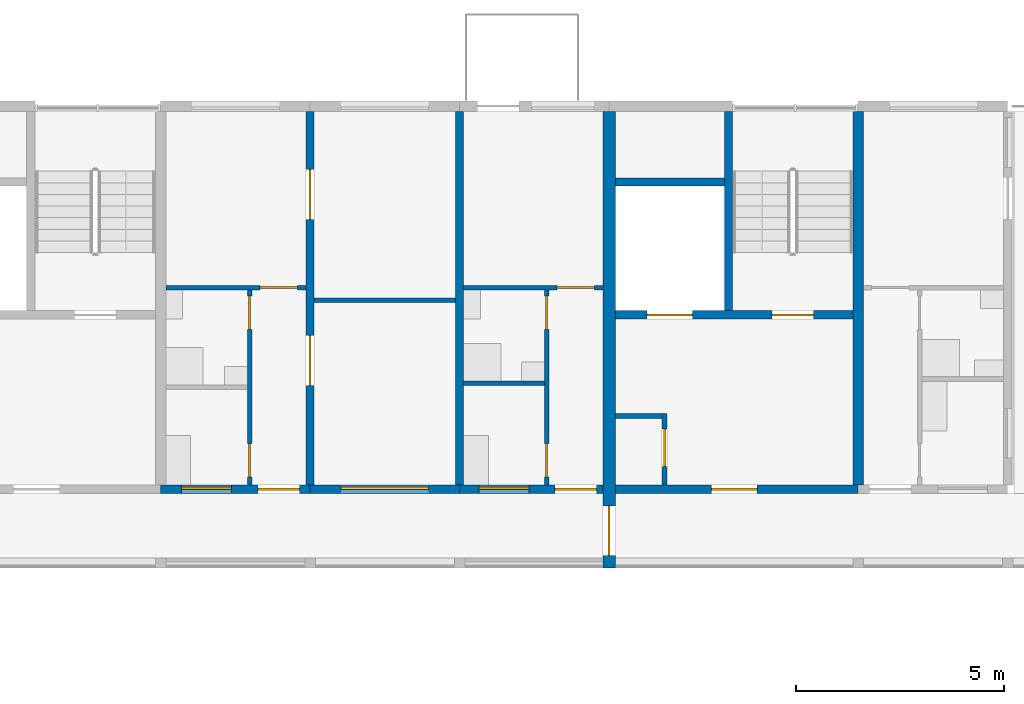
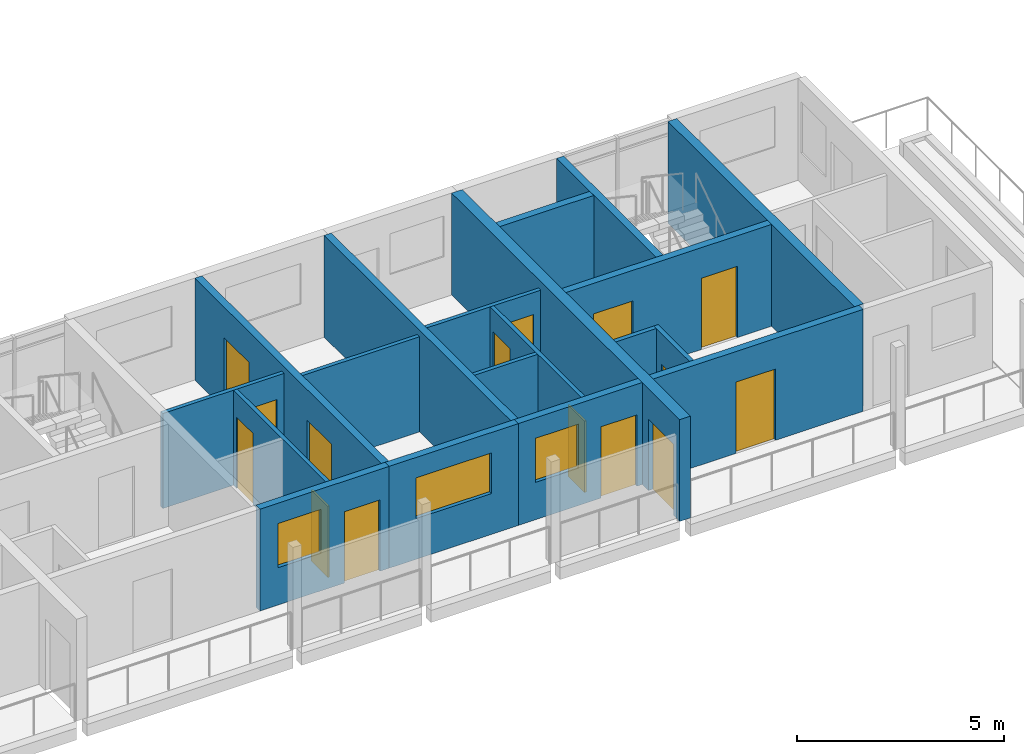
# One storey, part 35 of 94: 19 walls, 15 doors, 3 windows, 18 openings.
"""IFC4 building model written with IfcOpenShell, lengths in metres."""

from ifc_helpers import new_model, si_unit, direction, frame, frame_2d, origin, place, context, subcontext, project, spatial, rectangle, extrude, material, layer, layer_set, type_object, element, fill, save


model = new_model("IFC4")

# Units and contexts
model_context = context("Model", 3, precision=1e-05, world=origin(), true_north=direction((0.0, 1.0)))
body_context = subcontext(model_context, "Body", "Model", "MODEL_VIEW")
ifc_project = project(units=[si_unit("LENGTHUNIT", "METRE"), si_unit("AREAUNIT", "SQUARE_METRE"), si_unit("VOLUMEUNIT", "CUBIC_METRE"), si_unit("PLANEANGLEUNIT", "RADIAN"), si_unit("MASSUNIT", "GRAM", prefix="KILO")], contexts=[model_context])

# Site, building, storey
site_placement = place(None, origin())
site = spatial("IfcSite", under=ifc_project, at=site_placement, CompositionType="ELEMENT")
building_placement = place(site_placement, origin())
building = spatial("IfcBuilding", under=site, at=building_placement, Name="Ridgestep Commons", CompositionType="ELEMENT")
storey_placement = place(building_placement, frame((0.0, 0.0, 21.0)))
storey = spatial("IfcBuildingStorey", under=building, at=storey_placement, Name="L07", CompositionType="ELEMENT", Elevation=21.0)

# Wall
ifc_material_1 = material(Name="Concrete C30/37", Category="concrete")
ifc_layer_1 = layer(ifc_material_1, 0.25)
ifc_layer_set_1 = layer_set([ifc_layer_1], Name="Core cross wall 250")
wall_type_1 = type_object("IfcWallType", Name="Core cross wall 250", PredefinedType="SHEAR", material=ifc_layer_set_1)
wall_1_placement = place(storey_placement, frame((51.60009765625, 68.0, 0.0), z_axis=(0.0, 0.0, 1.0), x_axis=(0.0, 1.0, 0.0)))
element("IfcWall", 1, at=wall_1_placement, inside=storey, type_object=wall_type_1, Name="Cross wall B-07-0516", PredefinedType="SHEAR", context=body_context, shape_type="SweptSolid", body=[
    extrude(rectangle(XDim=9.0, YDim=0.25, at=frame_2d((4.5, 0.0))), origin(), (0.0, 0.0, 1.0), 3.0),
])

# Wall, opening, door
ifc_material_2 = material(Name="Concrete C30/37", Category="concrete")
ifc_layer_2 = layer(ifc_material_2, 0.199951171875)
ifc_layer_set_2 = layer_set([ifc_layer_2], Name="Core south wall 200")
wall_type_2 = type_object("IfcWallType", Name="Core south wall 200", PredefinedType="SHEAR", material=ifc_layer_set_2)
wall_2_placement = place(storey_placement, frame((45.75, 67.89990234375, 0.0), z_axis=(0.0, 0.0, 1.0), x_axis=(1.0, 0.0, 0.0)))
wall_2 = element("IfcWall", 2, at=wall_2_placement, inside=storey, type_object=wall_type_2, Name="Core south wall B3C L07", PredefinedType="SHEAR", context=body_context, shape_type="SweptSolid", body=[
    extrude(rectangle(XDim=5.85009765625, YDim=0.199951171875, at=frame_2d((2.925048828125, 0.0))), origin(), (0.0, 0.0, 1.0), 3.0),
])
opening_1_placement = place(wall_2_placement, frame((2.3125, 0.0, 0.0)))
opening_1 = element("IfcOpeningElement", 3, at=opening_1_placement, cuts=wall_2, Name="Opening B3C/07/1", PredefinedType="OPENING", context=body_context, shape_type="SweptSolid", body=[
    extrude(rectangle(XDim=1.10009765625, YDim=2.10009765625, at=frame_2d((0.550048828125, 1.050048828125))), frame((0.0, 0.10986328125, 0.0), z_axis=(0.0, -1.0, 0.0), x_axis=(1.0, 0.0, 0.0)), (0.0, 0.0, 1.0), 0.219970703125),
])
ifc_material_3 = material(Name="Steel fire door", Category="steel")
door_type_1 = type_object("IfcDoorType", Name="Lobby door 1100 x 2100 FD60", OperationType="NOTDEFINED", PredefinedType="DOOR", material=ifc_material_3)
door_1_placement = place(opening_1_placement, origin())
door_1 = element("IfcDoor", 4, at=door_1_placement, inside=storey, type_object=door_type_1, Name="Lobby door B3C/07/1", OperationType="SINGLE_SWING_LEFT", OverallHeight=2.10009765625, OverallWidth=1.10009765625, PredefinedType="DOOR", context=body_context, shape_type="SweptSolid", body=[
    extrude(rectangle(XDim=1.10009765625, YDim=2.10009765625, at=frame_2d((0.550048828125, 1.050048828125))), frame((0.0, 0.02490234375, 0.0), z_axis=(0.0, -1.0, 0.0), x_axis=(1.0, 0.0, 0.0)), (0.0, 0.0, 1.0), 0.050048828125),
])
fill(opening_1, door_1)

ifc_material_4 = material(Name="Concrete C30/37", Category="concrete")
ifc_layer_3 = layer(ifc_material_4, 0.1201171875)
ifc_layer_set_3 = layer_set([ifc_layer_3], Name="Core wall 120")
wall_type_3 = type_object("IfcWallType", Name="Core wall 120", PredefinedType="SHEAR", material=ifc_layer_set_3)
wall_3_placement = place(storey_placement, frame((46.93994140625, 68.0, 0.0), z_axis=(0.0, 0.0, 1.0), x_axis=(0.0, 1.0, 0.0)))
wall_3 = element("IfcWall", 5, at=wall_3_placement, inside=storey, type_object=wall_type_3, Name="Core riser w wall B3C L07", PredefinedType="SHEAR", context=body_context, shape_type="SweptSolid", body=[
    extrude(rectangle(XDim=1.719970703125, YDim=0.1201171875, at=frame_2d((0.85986328125, 0.0))), origin(), (0.0, 0.0, 1.0), 3.0),
])
opening_2_placement = place(wall_3_placement, frame((0.449951171875, 0.0, 0.0)))
opening_2 = element("IfcOpeningElement", 6, at=opening_2_placement, cuts=wall_3, Name="Opening B3C/07/4", PredefinedType="OPENING", context=body_context, shape_type="SweptSolid", body=[
    extrude(rectangle(XDim=0.89990234375, YDim=2.10009765625, at=frame_2d((0.449951171875, 1.050048828125))), frame((0.0, 0.070068359375, 0.0), z_axis=(0.0, -1.0, 0.0), x_axis=(1.0, 0.0, 0.0)), (0.0, 0.0, 1.0), 0.14013671875),
])
ifc_material_5 = material(Name="Steel fire door", Category="steel")
door_type_2 = type_object("IfcDoorType", Name="Riser door 900 x 2100 FD60", OperationType="NOTDEFINED", PredefinedType="DOOR", material=ifc_material_5)
door_2_placement = place(opening_2_placement, origin())
door_2 = element("IfcDoor", 7, at=door_2_placement, inside=storey, type_object=door_type_2, Name="Riser door B3C/07/4", OperationType="SINGLE_SWING_RIGHT", OverallHeight=2.10009765625, OverallWidth=0.89990234375, PredefinedType="DOOR", context=body_context, shape_type="SweptSolid", body=[
    extrude(rectangle(XDim=0.89990234375, YDim=2.10009765625, at=frame_2d((0.449951171875, 1.050048828125))), frame((0.0, 0.02490234375, 0.0), z_axis=(0.0, -1.0, 0.0), x_axis=(1.0, 0.0, 0.0)), (0.0, 0.0, 1.0), 0.050048828125),
])
fill(opening_2, door_2)

# Wall
wall_4_placement = place(storey_placement, frame((45.75, 69.659912109375, 0.0), z_axis=(0.0, 0.0, 1.0), x_axis=(1.0, 0.0, 0.0)))
element("IfcWall", 8, at=wall_4_placement, inside=storey, type_object=wall_type_3, Name="Core riser n wall B3C L07", PredefinedType="SHEAR", context=body_context, shape_type="SweptSolid", body=[
    extrude(rectangle(XDim=1.1298828125, YDim=0.1201171875, at=frame_2d((0.56494140625, 0.0))), origin(), (0.0, 0.0, 1.0), 3.0),
])

# Wall, openings, doors
ifc_material_6 = material(Name="Concrete C30/37", Category="concrete")
ifc_layer_4 = layer(ifc_material_6, 0.199951171875)
ifc_layer_set_4 = layer_set([ifc_layer_4], Name="Core wall 200")
wall_type_4 = type_object("IfcWallType", Name="Core wall 200", PredefinedType="SHEAR", material=ifc_layer_set_4)
wall_5_placement = place(storey_placement, frame((45.75, 72.10009765625, 0.0), z_axis=(0.0, 0.0, 1.0), x_axis=(1.0, 0.0, 0.0)))
wall_5 = element("IfcWall", 9, at=wall_5_placement, inside=storey, type_object=wall_type_4, Name="Core lobby wall B3C L07", PredefinedType="SHEAR", context=body_context, shape_type="SweptSolid", body=[
    extrude(rectangle(XDim=5.72509765625, YDim=0.199951171875, at=frame_2d((2.862548828125, 0.0))), origin(), (0.0, 0.0, 1.0), 3.0),
])
opening_3_placement = place(wall_5_placement, frame((3.77490234375, 0.0, 0.0)))
opening_3 = element("IfcOpeningElement", 10, at=opening_3_placement, cuts=wall_5, Name="Opening B3C/07/2", PredefinedType="OPENING", context=body_context, shape_type="SweptSolid", body=[
    extrude(rectangle(XDim=1.0, YDim=2.10009765625, at=frame_2d((0.5, 1.050048828125))), frame((0.0, 0.10986328125, 0.0), z_axis=(0.0, -1.0, 0.0), x_axis=(1.0, 0.0, 0.0)), (0.0, 0.0, 1.0), 0.219970703125),
])
opening_4_placement = place(wall_5_placement, frame((0.762451171875, 0.0, 0.0)))
opening_4 = element("IfcOpeningElement", 11, at=opening_4_placement, cuts=wall_5, Name="Opening B3C/07/3", PredefinedType="OPENING", context=body_context, shape_type="SweptSolid", body=[
    extrude(rectangle(XDim=1.10009765625, YDim=2.10009765625, at=frame_2d((0.550048828125, 1.050048828125))), frame((0.0, 0.10986328125, 0.0), z_axis=(0.0, -1.0, 0.0), x_axis=(1.0, 0.0, 0.0)), (0.0, 0.0, 1.0), 0.219970703125),
])
ifc_material_7 = material(Name="Stainless steel", Category="steel")
door_type_3 = type_object("IfcDoorType", Name="Lift landing door 1100 x 2100 FD60", OperationType="DOUBLE_DOOR_SLIDING", PredefinedType="DOOR", material=ifc_material_7)
door_3_placement = place(opening_4_placement, origin())
door_3 = element("IfcDoor", 12, at=door_3_placement, inside=storey, type_object=door_type_3, Name="Landing door LD B3C L07", OperationType="DOUBLE_DOOR_SLIDING", OverallHeight=2.10009765625, OverallWidth=1.10009765625, PredefinedType="DOOR", context=body_context, shape_type="SweptSolid", body=[
    extrude(rectangle(XDim=1.10009765625, YDim=2.10009765625, at=frame_2d((0.550048828125, 1.050048828125))), frame((0.0, 0.02490234375, 0.0), z_axis=(0.0, -1.0, 0.0), x_axis=(1.0, 0.0, 0.0)), (0.0, 0.0, 1.0), 0.050048828125),
])
fill(opening_4, door_3)
ifc_material_8 = material(Name="Steel fire door", Category="steel")
door_type_4 = type_object("IfcDoorType", Name="Stair door 1000 x 2100 FD60", OperationType="NOTDEFINED", PredefinedType="DOOR", material=ifc_material_8)
door_4_placement = place(opening_3_placement, origin())
door_4 = element("IfcDoor", 13, at=door_4_placement, inside=storey, type_object=door_type_4, Name="Stair door B3C/07/2", OperationType="SINGLE_SWING_RIGHT", OverallHeight=2.10009765625, OverallWidth=1.0, PredefinedType="DOOR", context=body_context, shape_type="SweptSolid", body=[
    extrude(rectangle(XDim=1.0, YDim=2.10009765625, at=frame_2d((0.5, 1.050048828125))), frame((0.0, 0.02490234375, 0.0), z_axis=(0.0, -1.0, 0.0), x_axis=(1.0, 0.0, 0.0)), (0.0, 0.0, 1.0), 0.050048828125),
])
fill(opening_3, door_4)

# Walls
wall_6_placement = place(storey_placement, frame((48.47509765625, 72.199951171875, 0.0), z_axis=(0.0, 0.0, 1.0), x_axis=(0.0, 1.0, 0.0)))
element("IfcWall", 14, at=wall_6_placement, inside=storey, type_object=wall_type_4, Name="Core stair wall B3C L07", PredefinedType="SHEAR", context=body_context, shape_type="SweptSolid", body=[
    extrude(rectangle(XDim=4.800048828125, YDim=0.199951171875, at=frame_2d((2.39990234375, 0.0))), origin(), (0.0, 0.0, 1.0), 3.0),
])
wall_7_placement = place(storey_placement, frame((45.75, 75.300048828125, 0.0), z_axis=(0.0, 0.0, 1.0), x_axis=(1.0, 0.0, 0.0)))
element("IfcWall", 15, at=wall_7_placement, inside=storey, type_object=wall_type_4, Name="Core duct wall B3C L07", PredefinedType="SHEAR", context=body_context, shape_type="SweptSolid", body=[
    extrude(rectangle(XDim=2.625, YDim=0.199951171875, at=frame_2d((1.3125, 0.0))), origin(), (0.0, 0.0, 1.0), 3.0),
])

# Wall, openings, doors
ifc_material_9 = material(Name="Precast concrete C40/50", Category="concrete")
ifc_layer_5 = layer(ifc_material_9, 0.199951171875)
ifc_layer_set_5 = layer_set([ifc_layer_5], Name="Cross wall 200")
wall_type_5 = type_object("IfcWallType", Name="Cross wall 200", PredefinedType="SHEAR", material=ifc_layer_set_5)
wall_8_placement = place(storey_placement, frame((38.39990234375, 68.0, 0.0), z_axis=(0.0, 0.0, 1.0), x_axis=(0.0, 1.0, 0.0)))
wall_8 = element("IfcWall", 16, at=wall_8_placement, inside=storey, type_object=wall_type_5, Name="Cross wall B-07-0384", PredefinedType="SHEAR", context=body_context, shape_type="SweptSolid", body=[
    extrude(rectangle(XDim=9.0, YDim=0.199951171875, at=frame_2d((4.5, 0.0))), origin(), (0.0, 0.0, 1.0), 3.0),
])
opening_5_placement = place(wall_8_placement, frame((2.39990234375, 0.0, 0.0)))
opening_5 = element("IfcOpeningElement", 17, at=opening_5_placement, cuts=wall_8, Name="Opening B2-07b/5", PredefinedType="OPENING", context=body_context, shape_type="SweptSolid", body=[
    extrude(rectangle(XDim=1.199951171875, YDim=2.10009765625, at=frame_2d((0.60009765625, 1.050048828125))), frame((0.0, 0.10986328125, 0.0), z_axis=(0.0, -1.0, 0.0), x_axis=(1.0, 0.0, 0.0)), (0.0, 0.0, 1.0), 0.219970703125),
])
opening_6_placement = place(wall_8_placement, frame((6.39990234375, 0.0, 0.0)))
opening_6 = element("IfcOpeningElement", 18, at=opening_6_placement, cuts=wall_8, Name="Opening B2-07b/6", PredefinedType="OPENING", context=body_context, shape_type="SweptSolid", body=[
    extrude(rectangle(XDim=1.199951171875, YDim=2.10009765625, at=frame_2d((0.60009765625, 1.050048828125))), frame((0.0, 0.10986328125, 0.0), z_axis=(0.0, -1.0, 0.0), x_axis=(1.0, 0.0, 0.0)), (0.0, 0.0, 1.0), 0.219970703125),
])
ifc_material_10 = material(Name="Timber door leaf", Category="wood")
door_type_5 = type_object("IfcDoorType", Name="Double door 1200 x 2100", OperationType="DOUBLE_DOOR_SINGLE_SWING", PredefinedType="DOOR", material=ifc_material_10)
door_5_placement = place(opening_5_placement, origin())
door_5 = element("IfcDoor", 19, at=door_5_placement, inside=storey, type_object=door_type_5, Name="Double door B2-07b/5", OperationType="DOUBLE_DOOR_SINGLE_SWING", OverallHeight=2.10009765625, OverallWidth=1.199951171875, PredefinedType="DOOR", context=body_context, shape_type="SweptSolid", body=[
    extrude(rectangle(XDim=1.199951171875, YDim=2.10009765625, at=frame_2d((0.60009765625, 1.050048828125))), frame((0.0, 0.02490234375, 0.0), z_axis=(0.0, -1.0, 0.0), x_axis=(1.0, 0.0, 0.0)), (0.0, 0.0, 1.0), 0.050048828125),
])
fill(opening_5, door_5)
door_6_placement = place(opening_6_placement, origin())
door_6 = element("IfcDoor", 20, at=door_6_placement, inside=storey, type_object=door_type_5, Name="Double door B2-07b/6", OperationType="DOUBLE_DOOR_SINGLE_SWING", OverallHeight=2.10009765625, OverallWidth=1.199951171875, PredefinedType="DOOR", context=body_context, shape_type="SweptSolid", body=[
    extrude(rectangle(XDim=1.199951171875, YDim=2.10009765625, at=frame_2d((0.60009765625, 1.050048828125))), frame((0.0, 0.02490234375, 0.0), z_axis=(0.0, -1.0, 0.0), x_axis=(1.0, 0.0, 0.0)), (0.0, 0.0, 1.0), 0.050048828125),
])
fill(opening_6, door_6)

# Wall
wall_9_placement = place(storey_placement, frame((42.0, 68.0, 0.0), z_axis=(0.0, 0.0, 1.0), x_axis=(0.0, 1.0, 0.0)))
element("IfcWall", 21, at=wall_9_placement, inside=storey, type_object=wall_type_5, Name="Cross wall B-07-0420", PredefinedType="SHEAR", context=body_context, shape_type="SweptSolid", body=[
    extrude(rectangle(XDim=9.0, YDim=0.199951171875, at=frame_2d((4.5, 0.0))), origin(), (0.0, 0.0, 1.0), 3.0),
])

# Wall, opening, door
ifc_material_11 = material(Name="Precast concrete C40/50", Category="concrete")
ifc_layer_6 = layer(ifc_material_11, 0.300048828125)
ifc_layer_set_6 = layer_set([ifc_layer_6], Name="Division wall 300")
wall_type_6 = type_object("IfcWallType", Name="Division wall 300", PredefinedType="SHEAR", material=ifc_layer_set_6)
wall_10_placement = place(storey_placement, frame((45.60009765625, 66.0, 0.0), z_axis=(0.0, 0.0, 1.0), x_axis=(0.0, 1.0, 0.0)))
wall_10 = element("IfcWall", 22, at=wall_10_placement, inside=storey, type_object=wall_type_6, Name="Cross wall B-07-0456", PredefinedType="SHEAR", context=body_context, shape_type="SweptSolid", body=[
    extrude(rectangle(XDim=11.0, YDim=0.300048828125, at=frame_2d((5.5, 0.0))), origin(), (0.0, 0.0, 1.0), 3.0),
])
opening_7_placement = place(wall_10_placement, frame((0.300048828125, 0.0, 0.0)))
opening_7 = element("IfcOpeningElement", 23, at=opening_7_placement, cuts=wall_10, Name="Opening B/07/G0456", PredefinedType="OPENING", context=body_context, shape_type="SweptSolid", body=[
    extrude(rectangle(XDim=1.199951171875, YDim=2.10009765625, at=frame_2d((0.60009765625, 1.050048828125))), frame((0.0, 0.159912109375, 0.0), z_axis=(0.0, -1.0, 0.0), x_axis=(1.0, 0.0, 0.0)), (0.0, 0.0, 1.0), 0.320068359375),
])
ifc_material_12 = material(Name="Steel fire door", Category="steel")
door_type_6 = type_object("IfcDoorType", Name="Division fire door 1200 x 2100 EI 240", OperationType="DOUBLE_DOOR_SINGLE_SWING", PredefinedType="DOOR", material=ifc_material_12)
door_7_placement = place(opening_7_placement, origin())
door_7 = element("IfcDoor", 24, at=door_7_placement, inside=storey, type_object=door_type_6, Name="Division fire door B/07/G0456", OperationType="DOUBLE_DOOR_SINGLE_SWING", OverallHeight=2.10009765625, OverallWidth=1.199951171875, PredefinedType="DOOR", context=body_context, shape_type="SweptSolid", body=[
    extrude(rectangle(XDim=1.199951171875, YDim=2.10009765625, at=frame_2d((0.60009765625, 1.050048828125))), frame((0.0, 0.02490234375, 0.0), z_axis=(0.0, -1.0, 0.0), x_axis=(1.0, 0.0, 0.0)), (0.0, 0.0, 1.0), 0.050048828125),
])
fill(opening_7, door_7)

# Wall
ifc_material_13 = material(Name="Common brick 110 mm", Category="masonry")
ifc_layer_7 = layer(ifc_material_13, 0.110107421875)
ifc_layer_set_7 = layer_set([ifc_layer_7], Name="Partition 110")
wall_type_7 = type_object("IfcWallType", Name="Partition 110", PredefinedType="PARTITIONING", material=ifc_layer_set_7)
wall_11_placement = place(storey_placement, frame((42.10009765625, 70.455078125, 0.0), z_axis=(0.0, 0.0, 1.0), x_axis=(1.0, 0.0, 0.0)))
element("IfcWall", 25, at=wall_11_placement, inside=storey, type_object=wall_type_7, Name="Partition B2-07a", PredefinedType="PARTITIONING", context=body_context, shape_type="SweptSolid", body=[
    extrude(rectangle(XDim=1.93994140625, YDim=0.110107421875, at=frame_2d((0.969970703125, 0.0))), origin(), (0.0, 0.0, 1.0), 2.75),
])

# Wall, openings, doors
wall_12_placement = place(storey_placement, frame((44.094970703125, 68.0, 0.0), z_axis=(0.0, 0.0, 1.0), x_axis=(0.0, 1.0, 0.0)))
wall_12 = element("IfcWall", 26, at=wall_12_placement, inside=storey, type_object=wall_type_7, Name="Partition B2-07a", PredefinedType="PARTITIONING", context=body_context, shape_type="SweptSolid", body=[
    extrude(rectangle(XDim=4.699951171875, YDim=0.110107421875, at=frame_2d((2.35009765625, 0.0))), origin(), (0.0, 0.0, 1.0), 2.75),
])
opening_8_placement = place(wall_12_placement, frame((0.199951171875, 0.0, 0.0)))
opening_8 = element("IfcOpeningElement", 27, at=opening_8_placement, cuts=wall_12, Name="Opening B2-07a/2", PredefinedType="OPENING", context=body_context, shape_type="SweptSolid", body=[
    extrude(rectangle(XDim=0.800048828125, YDim=2.10009765625, at=frame_2d((0.39990234375, 1.050048828125))), frame((0.0, 0.06494140625, 0.0), z_axis=(0.0, -1.0, 0.0), x_axis=(1.0, 0.0, 0.0)), (0.0, 0.0, 1.0), 0.130126953125),
])
opening_9_placement = place(wall_12_placement, frame((3.75, 0.0, 0.0)))
opening_9 = element("IfcOpeningElement", 28, at=opening_9_placement, cuts=wall_12, Name="Opening B2-07a/3", PredefinedType="OPENING", context=body_context, shape_type="SweptSolid", body=[
    extrude(rectangle(XDim=0.800048828125, YDim=2.10009765625, at=frame_2d((0.39990234375, 1.050048828125))), frame((0.0, 0.06494140625, 0.0), z_axis=(0.0, -1.0, 0.0), x_axis=(1.0, 0.0, 0.0)), (0.0, 0.0, 1.0), 0.130126953125),
])
ifc_material_14 = material(Name="Timber door leaf", Category="wood")
door_type_7 = type_object("IfcDoorType", Name="Internal door 800 x 2100", OperationType="NOTDEFINED", PredefinedType="DOOR", material=ifc_material_14)
door_8_placement = place(opening_8_placement, origin())
door_8 = element("IfcDoor", 29, at=door_8_placement, inside=storey, type_object=door_type_7, Name="Internal door B2-07a/2", OperationType="SINGLE_SWING_LEFT", OverallHeight=2.10009765625, OverallWidth=0.800048828125, PredefinedType="DOOR", context=body_context, shape_type="SweptSolid", body=[
    extrude(rectangle(XDim=0.800048828125, YDim=2.10009765625, at=frame_2d((0.39990234375, 1.050048828125))), frame((0.0, 0.02490234375, 0.0), z_axis=(0.0, -1.0, 0.0), x_axis=(1.0, 0.0, 0.0)), (0.0, 0.0, 1.0), 0.050048828125),
])
fill(opening_8, door_8)
door_9_placement = place(opening_9_placement, origin())
door_9 = element("IfcDoor", 30, at=door_9_placement, inside=storey, type_object=door_type_7, Name="Internal door B2-07a/3", OperationType="SINGLE_SWING_RIGHT", OverallHeight=2.10009765625, OverallWidth=0.800048828125, PredefinedType="DOOR", context=body_context, shape_type="SweptSolid", body=[
    extrude(rectangle(XDim=0.800048828125, YDim=2.10009765625, at=frame_2d((0.39990234375, 1.050048828125))), frame((0.0, 0.02490234375, 0.0), z_axis=(0.0, -1.0, 0.0), x_axis=(1.0, 0.0, 0.0)), (0.0, 0.0, 1.0), 0.050048828125),
])
fill(opening_9, door_9)

# Wall, opening, door
wall_13_placement = place(storey_placement, frame((42.10009765625, 72.7548828125, 0.0), z_axis=(0.0, 0.0, 1.0), x_axis=(1.0, 0.0, 0.0)))
wall_13 = element("IfcWall", 31, at=wall_13_placement, inside=storey, type_object=wall_type_7, Name="Partition B2-07a", PredefinedType="PARTITIONING", context=body_context, shape_type="SweptSolid", body=[
    extrude(rectangle(XDim=3.349853515625, YDim=0.110107421875, at=frame_2d((1.6748046875, 0.0))), origin(), (0.0, 0.0, 1.0), 2.75),
])
opening_10_placement = place(wall_13_placement, frame((2.25, 0.0, 0.0)))
opening_10 = element("IfcOpeningElement", 32, at=opening_10_placement, cuts=wall_13, Name="Opening B2-07a/4", PredefinedType="OPENING", context=body_context, shape_type="SweptSolid", body=[
    extrude(rectangle(XDim=0.89990234375, YDim=2.10009765625, at=frame_2d((0.449951171875, 1.050048828125))), frame((0.0, 0.06494140625, 0.0), z_axis=(0.0, -1.0, 0.0), x_axis=(1.0, 0.0, 0.0)), (0.0, 0.0, 1.0), 0.130126953125),
])
ifc_material_15 = material(Name="Timber door leaf", Category="wood")
door_type_8 = type_object("IfcDoorType", Name="Internal door 900 x 2100", OperationType="NOTDEFINED", PredefinedType="DOOR", material=ifc_material_15)
door_10_placement = place(opening_10_placement, origin())
door_10 = element("IfcDoor", 33, at=door_10_placement, inside=storey, type_object=door_type_8, Name="Internal door B2-07a/4", OperationType="SINGLE_SWING_LEFT", OverallHeight=2.10009765625, OverallWidth=0.89990234375, PredefinedType="DOOR", context=body_context, shape_type="SweptSolid", body=[
    extrude(rectangle(XDim=0.89990234375, YDim=2.10009765625, at=frame_2d((0.449951171875, 1.050048828125))), frame((0.0, 0.02490234375, 0.0), z_axis=(0.0, -1.0, 0.0), x_axis=(1.0, 0.0, 0.0)), (0.0, 0.0, 1.0), 0.050048828125),
])
fill(opening_10, door_10)

# Wall, openings, doors
wall_14_placement = place(storey_placement, frame((36.945068359375, 68.0, 0.0), z_axis=(0.0, 0.0, 1.0), x_axis=(0.0, 1.0, 0.0)))
wall_14 = element("IfcWall", 34, at=wall_14_placement, inside=storey, type_object=wall_type_7, Name="Partition B2-07b", PredefinedType="PARTITIONING", context=body_context, shape_type="SweptSolid", body=[
    extrude(rectangle(XDim=4.699951171875, YDim=0.110107421875, at=frame_2d((2.35009765625, 0.0))), origin(), (0.0, 0.0, 1.0), 2.800048828125),
])
opening_11_placement = place(wall_14_placement, frame((0.199951171875, 0.0, 0.0)))
opening_11 = element("IfcOpeningElement", 35, at=opening_11_placement, cuts=wall_14, Name="Opening B2-07b/2", PredefinedType="OPENING", context=body_context, shape_type="SweptSolid", body=[
    extrude(rectangle(XDim=0.800048828125, YDim=2.10009765625, at=frame_2d((0.39990234375, 1.050048828125))), frame((0.0, 0.06494140625, 0.0), z_axis=(0.0, -1.0, 0.0), x_axis=(1.0, 0.0, 0.0)), (0.0, 0.0, 1.0), 0.130126953125),
])
opening_12_placement = place(wall_14_placement, frame((3.75, 0.0, 0.0)))
opening_12 = element("IfcOpeningElement", 36, at=opening_12_placement, cuts=wall_14, Name="Opening B2-07b/3", PredefinedType="OPENING", context=body_context, shape_type="SweptSolid", body=[
    extrude(rectangle(XDim=0.800048828125, YDim=2.10009765625, at=frame_2d((0.39990234375, 1.050048828125))), frame((0.0, 0.06494140625, 0.0), z_axis=(0.0, -1.0, 0.0), x_axis=(1.0, 0.0, 0.0)), (0.0, 0.0, 1.0), 0.130126953125),
])
door_11_placement = place(opening_11_placement, origin())
door_11 = element("IfcDoor", 37, at=door_11_placement, inside=storey, type_object=door_type_7, Name="Internal door B2-07b/2", OperationType="SINGLE_SWING_LEFT", OverallHeight=2.10009765625, OverallWidth=0.800048828125, PredefinedType="DOOR", context=body_context, shape_type="SweptSolid", body=[
    extrude(rectangle(XDim=0.800048828125, YDim=2.10009765625, at=frame_2d((0.39990234375, 1.050048828125))), frame((0.0, 0.02490234375, 0.0), z_axis=(0.0, -1.0, 0.0), x_axis=(1.0, 0.0, 0.0)), (0.0, 0.0, 1.0), 0.050048828125),
])
fill(opening_11, door_11)
door_12_placement = place(opening_12_placement, origin())
door_12 = element("IfcDoor", 38, at=door_12_placement, inside=storey, type_object=door_type_7, Name="Internal door B2-07b/3", OperationType="SINGLE_SWING_RIGHT", OverallHeight=2.10009765625, OverallWidth=0.800048828125, PredefinedType="DOOR", context=body_context, shape_type="SweptSolid", body=[
    extrude(rectangle(XDim=0.800048828125, YDim=2.10009765625, at=frame_2d((0.39990234375, 1.050048828125))), frame((0.0, 0.02490234375, 0.0), z_axis=(0.0, -1.0, 0.0), x_axis=(1.0, 0.0, 0.0)), (0.0, 0.0, 1.0), 0.050048828125),
])
fill(opening_12, door_12)

# Wall, opening, door
wall_15_placement = place(storey_placement, frame((34.925048828125, 72.7548828125, 0.0), z_axis=(0.0, 0.0, 1.0), x_axis=(1.0, 0.0, 0.0)))
wall_15 = element("IfcWall", 39, at=wall_15_placement, inside=storey, type_object=wall_type_7, Name="Partition B2-07b", PredefinedType="PARTITIONING", context=body_context, shape_type="SweptSolid", body=[
    extrude(rectangle(XDim=3.375, YDim=0.110107421875, at=frame_2d((1.6875, 0.0))), origin(), (0.0, 0.0, 1.0), 2.800048828125),
])
opening_13_placement = place(wall_15_placement, frame((2.27490234375, 0.0, 0.0)))
opening_13 = element("IfcOpeningElement", 40, at=opening_13_placement, cuts=wall_15, Name="Opening B2-07b/4", PredefinedType="OPENING", context=body_context, shape_type="SweptSolid", body=[
    extrude(rectangle(XDim=0.89990234375, YDim=2.10009765625, at=frame_2d((0.449951171875, 1.050048828125))), frame((0.0, 0.06494140625, 0.0), z_axis=(0.0, -1.0, 0.0), x_axis=(1.0, 0.0, 0.0)), (0.0, 0.0, 1.0), 0.130126953125),
])
door_13_placement = place(opening_13_placement, origin())
door_13 = element("IfcDoor", 41, at=door_13_placement, inside=storey, type_object=door_type_8, Name="Internal door B2-07b/4", OperationType="SINGLE_SWING_LEFT", OverallHeight=2.10009765625, OverallWidth=0.89990234375, PredefinedType="DOOR", context=body_context, shape_type="SweptSolid", body=[
    extrude(rectangle(XDim=0.89990234375, YDim=2.10009765625, at=frame_2d((0.449951171875, 1.050048828125))), frame((0.0, 0.02490234375, 0.0), z_axis=(0.0, -1.0, 0.0), x_axis=(1.0, 0.0, 0.0)), (0.0, 0.0, 1.0), 0.050048828125),
])
fill(opening_13, door_13)

# Wall
wall_16_placement = place(storey_placement, frame((38.5, 72.455078125, 0.0), z_axis=(0.0, 0.0, 1.0), x_axis=(1.0, 0.0, 0.0)))
element("IfcWall", 42, at=wall_16_placement, inside=storey, type_object=wall_type_7, Name="Partition B2-07b", PredefinedType="PARTITIONING", context=body_context, shape_type="SweptSolid", body=[
    extrude(rectangle(XDim=3.39990234375, YDim=0.110107421875, at=frame_2d((1.699951171875, 0.0))), origin(), (0.0, 0.0, 1.0), 2.800048828125),
])

# Wall, openings, door, window
ifc_material_16 = material(Name="Precast concrete C40/50", Category="concrete")
ifc_layer_8 = layer(ifc_material_16, 0.199951171875)
ifc_layer_set_8 = layer_set([ifc_layer_8], Name="South facade panel 200")
wall_type_8 = type_object("IfcWallType", Name="South facade panel 200", PredefinedType="SOLIDWALL", material=ifc_layer_set_8)
wall_17_placement = place(storey_placement, frame((34.800048828125, 67.89990234375, 0.0), z_axis=(0.0, 0.0, 1.0), x_axis=(1.0, 0.0, 0.0)))
wall_17 = element("IfcWall", 43, at=wall_17_placement, inside=storey, type_object=wall_type_8, Name="South panel B2T3 L07", PredefinedType="SOLIDWALL", context=body_context, shape_type="SweptSolid", body=[
    extrude(rectangle(XDim=3.599853515625, YDim=0.199951171875, at=frame_2d((1.7998046875, 0.0))), origin(), (0.0, 0.0, 1.0), 3.0),
])
opening_14_placement = place(wall_17_placement, frame((0.507568359375, 0.0, 1.10009765625)))
opening_14 = element("IfcOpeningElement", 44, at=opening_14_placement, cuts=wall_17, Name="Opening W08", PredefinedType="OPENING", context=body_context, shape_type="SweptSolid", body=[
    extrude(rectangle(XDim=1.199951171875, YDim=1.300048828125, at=frame_2d((0.60009765625, 0.64990234375))), frame((0.0, 0.10986328125, 0.0), z_axis=(0.0, -1.0, 0.0), x_axis=(1.0, 0.0, 0.0)), (0.0, 0.0, 1.0), 0.219970703125),
])
opening_15_placement = place(wall_17_placement, frame((2.35009765625, 0.0, 0.0)))
opening_15 = element("IfcOpeningElement", 45, at=opening_15_placement, cuts=wall_17, Name="Opening B2-07b/1", PredefinedType="OPENING", context=body_context, shape_type="SweptSolid", body=[
    extrude(rectangle(XDim=1.0, YDim=2.10009765625, at=frame_2d((0.5, 1.050048828125))), frame((0.0, 0.10986328125, 0.0), z_axis=(0.0, -1.0, 0.0), x_axis=(1.0, 0.0, 0.0)), (0.0, 0.0, 1.0), 0.219970703125),
])
ifc_material_17 = material(Name="Timber door leaf", Category="wood")
door_type_9 = type_object("IfcDoorType", Name="Flat entrance door 1000 x 2100 FD30S", OperationType="NOTDEFINED", PredefinedType="DOOR", material=ifc_material_17)
door_14_placement = place(opening_15_placement, origin())
door_14 = element("IfcDoor", 46, at=door_14_placement, inside=storey, type_object=door_type_9, Name="Flat entrance door B2-07b/1", OperationType="SINGLE_SWING_RIGHT", OverallHeight=2.10009765625, OverallWidth=1.0, PredefinedType="DOOR", context=body_context, shape_type="SweptSolid", body=[
    extrude(rectangle(XDim=1.0, YDim=2.10009765625, at=frame_2d((0.5, 1.050048828125))), frame((0.0, 0.02490234375, 0.0), z_axis=(0.0, -1.0, 0.0), x_axis=(1.0, 0.0, 0.0)), (0.0, 0.0, 1.0), 0.050048828125),
])
fill(opening_15, door_14)
ifc_material_18 = material(Name="Aluminium 6063-T6 and glass", Category="aluminium")
window_type_1 = type_object("IfcWindowType", Name="Flat window 1200 x 1300", PartitioningType="SINGLE_PANEL", PredefinedType="WINDOW", material=ifc_material_18)
window_1_placement = place(opening_14_placement, origin())
window_1 = element("IfcWindow", 47, at=window_1_placement, inside=storey, type_object=window_type_1, Name="Window B2-07b 3", OverallHeight=1.300048828125, OverallWidth=1.199951171875, PartitioningType="SINGLE_PANEL", PredefinedType="WINDOW", context=body_context, shape_type="SweptSolid", body=[
    extrude(rectangle(XDim=1.199951171875, YDim=1.300048828125, at=frame_2d((0.60009765625, 0.64990234375))), frame((0.0, 0.06005859375, 0.0), z_axis=(0.0, -1.0, 0.0), x_axis=(1.0, 0.0, 0.0)), (0.0, 0.0, 1.0), 0.06005859375),
])
fill(opening_14, window_1)

# Wall, opening, window
wall_18_placement = place(storey_placement, frame((38.39990234375, 67.89990234375, 0.0), z_axis=(0.0, 0.0, 1.0), x_axis=(1.0, 0.0, 0.0)))
wall_18 = element("IfcWall", 48, at=wall_18_placement, inside=storey, type_object=wall_type_8, Name="South panel B2T2 L07", PredefinedType="SOLIDWALL", context=body_context, shape_type="SweptSolid", body=[
    extrude(rectangle(XDim=3.60009765625, YDim=0.199951171875, at=frame_2d((1.800048828125, 0.0))), origin(), (0.0, 0.0, 1.0), 3.0),
])
opening_16_placement = place(wall_18_placement, frame((0.75, 0.0, 1.199951171875)))
opening_16 = element("IfcOpeningElement", 49, at=opening_16_placement, cuts=wall_18, Name="Opening W22", PredefinedType="OPENING", context=body_context, shape_type="SweptSolid", body=[
    extrude(rectangle(XDim=2.10009765625, YDim=1.199951171875, at=frame_2d((1.050048828125, 0.60009765625))), frame((0.0, 0.10986328125, 0.0), z_axis=(0.0, -1.0, 0.0), x_axis=(1.0, 0.0, 0.0)), (0.0, 0.0, 1.0), 0.219970703125),
])
ifc_material_19 = material(Name="Aluminium 6063-T6 and glass", Category="aluminium")
window_type_2 = type_object("IfcWindowType", Name="Flat window 2100 x 1200", PartitioningType="DOUBLE_PANEL_VERTICAL", PredefinedType="WINDOW", material=ifc_material_19)
window_2_placement = place(opening_16_placement, origin())
window_2 = element("IfcWindow", 50, at=window_2_placement, inside=storey, type_object=window_type_2, Name="Window B2-07b 1", OverallHeight=1.199951171875, OverallWidth=2.10009765625, PartitioningType="SINGLE_PANEL", PredefinedType="WINDOW", context=body_context, shape_type="SweptSolid", body=[
    extrude(rectangle(XDim=2.10009765625, YDim=1.199951171875, at=frame_2d((1.050048828125, 0.60009765625))), frame((0.0, 0.06005859375, 0.0), z_axis=(0.0, -1.0, 0.0), x_axis=(1.0, 0.0, 0.0)), (0.0, 0.0, 1.0), 0.06005859375),
])
fill(opening_16, window_2)

# Wall, openings, door, window
wall_19_placement = place(storey_placement, frame((42.0, 67.89990234375, 0.0), z_axis=(0.0, 0.0, 1.0), x_axis=(1.0, 0.0, 0.0)))
wall_19 = element("IfcWall", 51, at=wall_19_placement, inside=storey, type_object=wall_type_8, Name="South panel B2T1 L07", PredefinedType="SOLIDWALL", context=body_context, shape_type="SweptSolid", body=[
    extrude(rectangle(XDim=3.449951171875, YDim=0.199951171875, at=frame_2d((1.72509765625, 0.0))), origin(), (0.0, 0.0, 1.0), 3.0),
])
opening_17_placement = place(wall_19_placement, frame((0.469970703125, 0.0, 1.10009765625)))
opening_17 = element("IfcOpeningElement", 52, at=opening_17_placement, cuts=wall_19, Name="Opening W08", PredefinedType="OPENING", context=body_context, shape_type="SweptSolid", body=[
    extrude(rectangle(XDim=1.199951171875, YDim=1.300048828125, at=frame_2d((0.60009765625, 0.64990234375))), frame((0.0, 0.10986328125, 0.0), z_axis=(0.0, -1.0, 0.0), x_axis=(1.0, 0.0, 0.0)), (0.0, 0.0, 1.0), 0.219970703125),
])
opening_18_placement = place(wall_19_placement, frame((2.300048828125, 0.0, 0.0)))
opening_18 = element("IfcOpeningElement", 53, at=opening_18_placement, cuts=wall_19, Name="Opening B2-07a/1", PredefinedType="OPENING", context=body_context, shape_type="SweptSolid", body=[
    extrude(rectangle(XDim=1.0, YDim=2.10009765625, at=frame_2d((0.5, 1.050048828125))), frame((0.0, 0.10986328125, 0.0), z_axis=(0.0, -1.0, 0.0), x_axis=(1.0, 0.0, 0.0)), (0.0, 0.0, 1.0), 0.219970703125),
])
door_15_placement = place(opening_18_placement, origin())
door_15 = element("IfcDoor", 54, at=door_15_placement, inside=storey, type_object=door_type_9, Name="Flat entrance door B2-07a/1", OperationType="SINGLE_SWING_RIGHT", OverallHeight=2.10009765625, OverallWidth=1.0, PredefinedType="DOOR", context=body_context, shape_type="SweptSolid", body=[
    extrude(rectangle(XDim=1.0, YDim=2.10009765625, at=frame_2d((0.5, 1.050048828125))), frame((0.0, 0.02490234375, 0.0), z_axis=(0.0, -1.0, 0.0), x_axis=(1.0, 0.0, 0.0)), (0.0, 0.0, 1.0), 0.050048828125),
])
fill(opening_18, door_15)
window_3_placement = place(opening_17_placement, origin())
window_3 = element("IfcWindow", 55, at=window_3_placement, inside=storey, type_object=window_type_1, Name="Window B2-07a 1", OverallHeight=1.300048828125, OverallWidth=1.199951171875, PartitioningType="SINGLE_PANEL", PredefinedType="WINDOW", context=body_context, shape_type="SweptSolid", body=[
    extrude(rectangle(XDim=1.199951171875, YDim=1.300048828125, at=frame_2d((0.60009765625, 0.64990234375))), frame((0.0, 0.06005859375, 0.0), z_axis=(0.0, -1.0, 0.0), x_axis=(1.0, 0.0, 0.0)), (0.0, 0.0, 1.0), 0.06005859375),
])
fill(opening_17, window_3)

save(model, "model.ifc")
